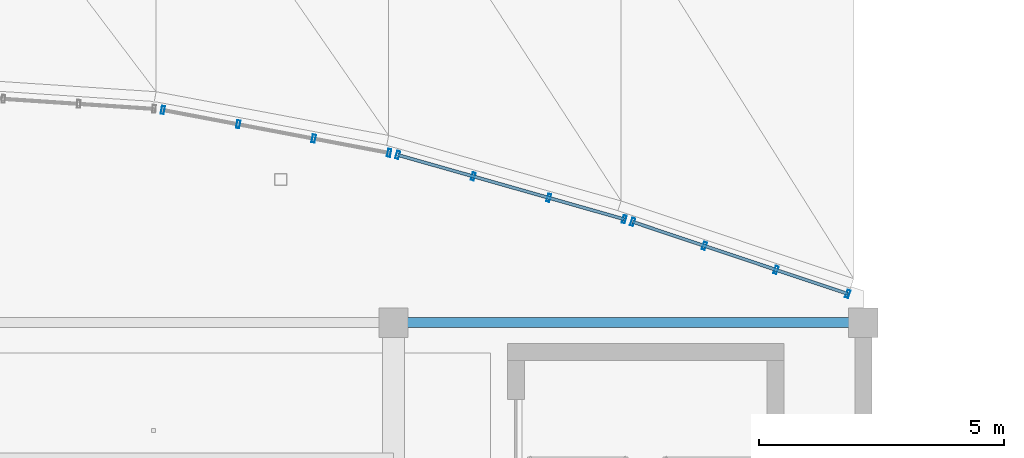
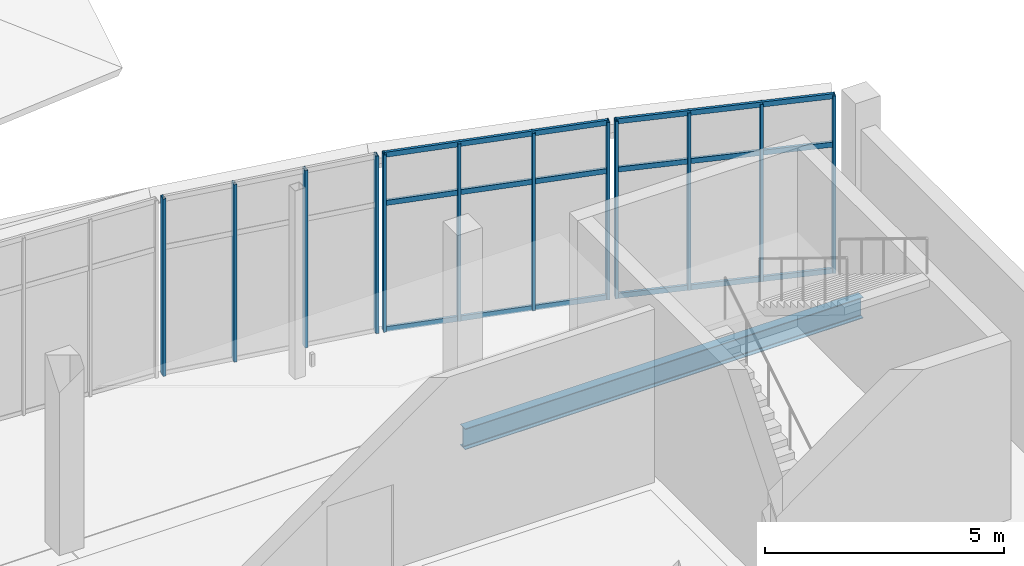
# One storey, part 35 of 116: 18 members, 1 beam, 3 elements without a shape of their own.
"""IFC4 building model written with IfcOpenShell, lengths in metres."""

import ifcopenshell
import ifcopenshell.guid

model = None  # the IFC model being written
_history = None  # IfcOwnerHistory: only IFC2X3 demands one
_inside = {}  # id of a spatial element -> (the spatial element, [elements in it])
_under = {}  # id of a project, library or spatial element -> (it, [spatial elements below it])
_declared = {}  # id of a project -> (the project, [libraries it declares])
_typed = {}  # id of a type object -> (the type object, [elements of that type])
_made_of = {}  # id of a material, layer set ... -> (it, [elements and type objects made of it])


def new_model(schema):
    """Start an empty IFC model of exactly this schema.

    Asked for "IFC4X3", IfcOpenShell would pick the latest addendum, in which some entities
    have other attributes; the version numbers below select the first issue.
    IFC2X3 requires an IfcOwnerHistory on every rooted entity: one is made here for all.
    """
    global model, _history
    if schema == "IFC4X3":
        model = ifcopenshell.file(schema_version=(4, 3, 0, 0))
    else:
        model = ifcopenshell.file(schema=schema)
    _inside.clear()
    _under.clear()
    _declared.clear()
    _typed.clear()
    _made_of.clear()
    _history = None
    if model.schema == "IFC2X3":
        org = make("IfcOrganization", Name="unknown")
        user = make(
            "IfcPersonAndOrganization",
            ThePerson=make("IfcPerson", FamilyName="unknown"),
            TheOrganization=org,
        )
        app = make(
            "IfcApplication",
            ApplicationDeveloper=org,
            Version="unknown",
            ApplicationFullName="unknown",
            ApplicationIdentifier="unknown",
        )
        _history = make(
            "IfcOwnerHistory",
            OwningUser=user,
            OwningApplication=app,
            ChangeAction="ADDED",
            CreationDate=0,
        )
    return model


def make(cls, **values):
    """One entity of the class cls with the attributes given. An attribute that is None is left unset."""
    return model.create_entity(
        cls, **{name: value for name, value in values.items() if value is not None}
    )


def rooted(cls, **values):
    """An entity with a GlobalId (a new one), such as an element, a storey or a relation."""
    return make(cls, GlobalId=ifcopenshell.guid.new(), OwnerHistory=_history, **values)


def si_unit(unit_type, name, prefix=None):
    """IfcSIUnit, for example si_unit("LENGTHUNIT", "METRE", prefix="MILLI")."""
    return make("IfcSIUnit", UnitType=unit_type, Prefix=prefix, Name=name)


def assignment(units):
    """IfcUnitAssignment: the units of a project."""
    return None if units is None else make("IfcUnitAssignment", Units=units)


def point(xyz):
    """IfcCartesianPoint."""
    return None if xyz is None else make("IfcCartesianPoint", Coordinates=xyz)


def direction(xyz):
    """IfcDirection."""
    return None if xyz is None else make("IfcDirection", DirectionRatios=xyz)


def frame(location, z_axis=None, x_axis=None):
    """IfcAxis2Placement3D, a coordinate frame: its origin and axes. An axis left out is left unset."""
    return make(
        "IfcAxis2Placement3D",
        Location=point(location),
        Axis=direction(z_axis),
        RefDirection=direction(x_axis),
    )


def frame_2d(location, x_axis=None):
    """IfcAxis2Placement2D, a coordinate frame in the plane: its origin and x axis."""
    return make(
        "IfcAxis2Placement2D", Location=point(location), RefDirection=direction(x_axis)
    )


def origin():
    """The frame at (0, 0, 0) with its axes left unset."""
    return frame((0.0, 0.0, 0.0))


def origin_2d():
    """The frame at (0, 0) in the plane with its x axis left unset."""
    return frame_2d((0.0, 0.0))


def place(relative_to, where):
    """IfcLocalPlacement: puts the frame where relative to a parent placement (None: the world)."""
    return make(
        "IfcLocalPlacement", PlacementRelTo=relative_to, RelativePlacement=where
    )


def context(
    kind, dimensions, precision=None, world=None, true_north=None, identifier=None
):
    """IfcGeometricRepresentationContext, for example the 3D "Model" context."""
    return make(
        "IfcGeometricRepresentationContext",
        ContextIdentifier=identifier,
        ContextType=kind,
        CoordinateSpaceDimension=dimensions,
        Precision=precision,
        WorldCoordinateSystem=world,
        TrueNorth=true_north,
    )


def subcontext(parent, identifier, kind, view, scale=None):
    """IfcGeometricRepresentationSubContext, for example "Body" below "Model"."""
    return make(
        "IfcGeometricRepresentationSubContext",
        ContextIdentifier=identifier,
        ContextType=kind,
        ParentContext=parent,
        TargetScale=scale,
        TargetView=view,
    )


def project(units=None, contexts=None):
    """IfcProject with its units and contexts."""
    return rooted(
        "IfcProject",
        Name="project",
        RepresentationContexts=contexts,
        UnitsInContext=assignment(units),
    )


def spatial(cls, under=None, at=None, **own):
    """A site, building, storey or space (cls), placed at a placement, below another one or the project."""
    s = rooted(cls, ObjectPlacement=at, **own)
    if under is not None:
        _under.setdefault(under.id(), (under, []))[1].append(s)
    return s


def profile(cls, at=None, kind="AREA", **sizes):
    """A parametric profile (cls). Its sizes go by their IFC names, for example OverallWidth=200.0."""
    return make(cls, ProfileType=kind, Position=at, **sizes)


def hollow_rectangle(**sizes):
    """IfcRectangleHollowProfileDef."""
    return profile("IfcRectangleHollowProfileDef", **sizes)


def i_section(**sizes):
    """IfcIShapeProfileDef."""
    return profile("IfcIShapeProfileDef", **sizes)


def extrude(swept, where, along, depth):
    """IfcExtrudedAreaSolid: the profile swept, set in the frame where, extruded along a direction by depth."""
    return make(
        "IfcExtrudedAreaSolid",
        SweptArea=swept,
        Position=where,
        ExtrudedDirection=direction(along),
        Depth=depth,
    )


def shape(context_of_items, identifier, shape_type, items):
    """IfcShapeRepresentation: the items that make up one representation, for example the "Body"."""
    return make(
        "IfcShapeRepresentation",
        ContextOfItems=context_of_items,
        RepresentationIdentifier=identifier,
        RepresentationType=shape_type,
        Items=items,
    )


def material(Name=None, Category=None):
    """IfcMaterial."""
    return make("IfcMaterial", Name=Name, Category=Category)


def layer(
    of_material, thickness, ventilated=None, Name=None, Category=None, Priority=None
):
    """IfcMaterialLayer: one layer of a wall or slab, of a material (None: an air gap)."""
    return make(
        "IfcMaterialLayer",
        Material=of_material,
        LayerThickness=thickness,
        IsVentilated=ventilated,
        Name=Name,
        Category=Category,
        Priority=Priority,
    )


def layer_set(layers, Name=None):
    """IfcMaterialLayerSet."""
    return make("IfcMaterialLayerSet", MaterialLayers=layers, LayerSetName=Name)


def material_profile(
    of_material, cross_section, Name=None, Category=None, Priority=None
):
    """IfcMaterialProfile: a cross section and its material."""
    return make(
        "IfcMaterialProfile",
        Name=Name,
        Material=of_material,
        Profile=cross_section,
        Priority=Priority,
        Category=Category,
    )


def profile_set(profiles, Name=None, composite=None):
    """IfcMaterialProfileSet."""
    return make(
        "IfcMaterialProfileSet",
        Name=Name,
        MaterialProfiles=profiles,
        CompositeProfile=composite,
    )


def made_of(thing, what):
    """Note that an element or type object is made of a material, layer set ...; save() writes the relation."""
    if what is not None:
        _made_of.setdefault(what.id(), (what, []))[1].append(thing)
    return thing


def type_object(cls, material=None, **own):
    """A type object (cls), such as IfcWallType, which elements share."""
    return made_of(rooted(cls, **own), material)


def element(
    cls,
    number,
    at=None,
    inside=None,
    cuts=None,
    type_object=None,
    material=None,
    context=None,
    identifier="Body",
    shape_type=None,
    held_by="IfcProductDefinitionShape",
    body=None,
    shapes=None,
    **own,
):
    """One element of the class cls, such as IfcWall. Its Tag is "e" and its number.

    at: its placement. inside: the storey or other place that contains it. cuts: it is an
    opening in that element (IfcRelVoidsElement). A single representation is given by context,
    identifier, shape_type and body (its items); several are given by shapes. held_by: the class
    of the entity that holds the representations. save() writes the other relations.
    """
    e = rooted(cls, Tag="e%d" % number, ObjectPlacement=at, **own)
    if body is not None:
        shapes = [shape(context, identifier, shape_type, body)]
    if shapes is not None:
        e.Representation = make(held_by, Representations=shapes)
    if inside is not None:
        _inside.setdefault(inside.id(), (inside, []))[1].append(e)
    if cuts is not None:
        rooted(
            "IfcRelVoidsElement", RelatingBuildingElement=cuts, RelatedOpeningElement=e
        )
    if type_object is not None:
        _typed.setdefault(type_object.id(), (type_object, []))[1].append(e)
    return made_of(e, material)


def aggregate(whole, parts):
    """IfcRelAggregates: a whole, such as a stair, and the parts it consists of."""
    return rooted("IfcRelAggregates", RelatingObject=whole, RelatedObjects=parts)


def save(model, path):
    """Write the relations noted so far, then the file.

    IfcRelAggregates (storeys below a building ...), IfcRelContainedInSpatialStructure (elements
    in a storey), IfcRelDefinesByType, IfcRelAssociatesMaterial and IfcRelDeclares: one each for
    every whole, place, type object, material and project.
    """
    for whole, parts in _under.values():
        aggregate(whole, parts)
    for where, things in _inside.values():
        rooted(
            "IfcRelContainedInSpatialStructure",
            RelatedElements=things,
            RelatingStructure=where,
        )
    for kind, things in _typed.values():
        rooted("IfcRelDefinesByType", RelatedObjects=things, RelatingType=kind)
    for what, things in _made_of.values():
        rooted("IfcRelAssociatesMaterial", RelatedObjects=things, RelatingMaterial=what)
    for by, libraries in _declared.values():
        rooted("IfcRelDeclares", RelatingContext=by, RelatedDefinitions=libraries)
    model.write(path)


model = new_model("IFC4")

# Units and contexts
model_context = context("Model", 3, precision=1e-05, world=origin(), true_north=direction((0.0, 1.0)))
body_context = subcontext(model_context, "Body", "Model", "MODEL_VIEW")
ifc_project = project(units=[si_unit("LENGTHUNIT", "METRE"), si_unit("AREAUNIT", "SQUARE_METRE"), si_unit("VOLUMEUNIT", "CUBIC_METRE"), si_unit("PLANEANGLEUNIT", "RADIAN"), si_unit("MASSUNIT", "GRAM", prefix="KILO")], contexts=[model_context])

# Site, building, storey
site_placement = place(None, origin())
site = spatial("IfcSite", under=ifc_project, at=site_placement, CompositionType="ELEMENT")
building_placement = place(site_placement, origin())
building = spatial("IfcBuilding", under=site, at=building_placement, Name="Chalmorin Arch Market", CompositionType="ELEMENT")
storey_placement = place(building_placement, origin())
storey = spatial("IfcBuildingStorey", under=building, at=storey_placement, Name="L00", CompositionType="ELEMENT", Elevation=0.0)

# Curtain wall, members
ifc_material_1 = material(Name="Aluminium 6063-T6", Category="aluminium")
ifc_layer_1 = layer(ifc_material_1, 0.159912109375)
ifc_layer_set_1 = layer_set([ifc_layer_1], Name="Aluminium 6063-T6")
curtain_wall_type_1 = type_object("IfcCurtainWallType", Name="RiverfrontStorefrontCurtainWall-CW2-4710x4520", PredefinedType="NOTDEFINED", material=ifc_layer_set_1)
curtain_wall_1_placement = place(storey_placement, origin())
curtain_wall_1 = element("IfcCurtainWall", 1, at=curtain_wall_1_placement, inside=storey, type_object=curtain_wall_type_1, Name="CW-02-084", PredefinedType="NOTDEFINED")
ifc_material_profile_1 = material_profile(ifc_material_1, hollow_rectangle(XDim=0.06494140625, YDim=0.159912109375, WallThickness=0.00390625, at=origin_2d()), Name="ALU65X160X4")
ifc_profile_set_1 = profile_set([ifc_material_profile_1], Name="Aluminium 6063-T6")
member_type_1 = type_object("IfcMemberType", Name="CurtainWallMullion-65x160", PredefinedType="MULLION", material=ifc_profile_set_1)
member_1_placement = place(storey_placement, frame((24.08837890625, 54.34326171875, 0.0), z_axis=(0.0, 0.0, 1.0), x_axis=(0.981627183448, -0.190808995377, 0.0)))
member_1 = element("IfcMember", 2, at=member_1_placement, type_object=member_type_1, Name="ML-084-01", PredefinedType="MULLION", context=body_context, shape_type="SweptSolid", body=[
    extrude(hollow_rectangle(XDim=0.06494140625, YDim=0.159912109375, WallThickness=0.00390625, at=origin_2d()), origin(), (0.0, 0.0, 1.0), 4.52001953125),
])
member_2_placement = place(storey_placement, frame((25.62939453125, 54.051025390625, 0.0), z_axis=(0.0, 0.0, 1.0), x_axis=(0.981627183448, -0.190808995377, 0.0)))
member_2 = element("IfcMember", 3, at=member_2_placement, type_object=member_type_1, Name="ML-084-02", PredefinedType="MULLION", context=body_context, shape_type="SweptSolid", body=[
    extrude(hollow_rectangle(XDim=0.06494140625, YDim=0.159912109375, WallThickness=0.00390625, at=origin_2d()), origin(), (0.0, 0.0, 1.0), 4.52001953125),
])
member_3_placement = place(storey_placement, frame((27.17041015625, 53.7587890625, 0.0), z_axis=(0.0, 0.0, 1.0), x_axis=(0.981627183448, -0.190808995377, 0.0)))
member_3 = element("IfcMember", 4, at=member_3_placement, type_object=member_type_1, Name="ML-084-03", PredefinedType="MULLION", context=body_context, shape_type="SweptSolid", body=[
    extrude(hollow_rectangle(XDim=0.06494140625, YDim=0.159912109375, WallThickness=0.00390625, at=origin_2d()), origin(), (0.0, 0.0, 1.0), 4.52001953125),
])
member_4_placement = place(storey_placement, frame((28.711669921875, 53.466796875, 0.0), z_axis=(0.0, 0.0, 1.0), x_axis=(0.981627183448, -0.190808995377, 0.0)))
member_4 = element("IfcMember", 5, at=member_4_placement, type_object=member_type_1, Name="ML-084-04", PredefinedType="MULLION", context=body_context, shape_type="SweptSolid", body=[
    extrude(hollow_rectangle(XDim=0.06494140625, YDim=0.159912109375, WallThickness=0.00390625, at=origin_2d()), origin(), (0.0, 0.0, 1.0), 4.52001953125),
])
aggregate(curtain_wall_1, [member_1, member_2, member_3, member_4])

ifc_layer_2 = layer(ifc_material_1, 0.159912109375)
ifc_layer_set_2 = layer_set([ifc_layer_2], Name="Aluminium 6063-T6")
curtain_wall_type_2 = type_object("IfcCurtainWallType", Name="RiverfrontStorefrontCurtainWall-CW2-4810x4520", PredefinedType="NOTDEFINED", material=ifc_layer_set_2)
curtain_wall_2_placement = place(storey_placement, origin())
curtain_wall_2 = element("IfcCurtainWall", 6, at=curtain_wall_2_placement, inside=storey, type_object=curtain_wall_type_2, Name="CW-02-087", PredefinedType="NOTDEFINED")
member_5_placement = place(storey_placement, frame((28.88671875, 53.42529296875, 0.0), z_axis=(0.0, 0.0, 1.0), x_axis=(0.961261695938, -0.275637355817, 0.0)))
member_5 = element("IfcMember", 7, at=member_5_placement, type_object=member_type_1, Name="ML-087-01", PredefinedType="MULLION", context=body_context, shape_type="SweptSolid", body=[
    extrude(hollow_rectangle(XDim=0.06494140625, YDim=0.159912109375, WallThickness=0.00390625, at=origin_2d()), origin(), (0.0, 0.0, 1.0), 4.52001953125),
])
member_6_placement = place(storey_placement, frame((30.428955078125, 52.987548828125, 0.0), z_axis=(0.0, 0.0, 1.0), x_axis=(0.961261695938, -0.275637355817, 0.0)))
member_6 = element("IfcMember", 8, at=member_6_placement, type_object=member_type_1, Name="ML-087-02", PredefinedType="MULLION", context=body_context, shape_type="SweptSolid", body=[
    extrude(hollow_rectangle(XDim=0.06494140625, YDim=0.159912109375, WallThickness=0.00390625, at=origin_2d()), origin(), (0.0, 0.0, 1.0), 4.52001953125),
])
member_7_placement = place(storey_placement, frame((31.97119140625, 52.549560546875, 0.0), z_axis=(0.0, 0.0, 1.0), x_axis=(0.961261695938, -0.275637355817, 0.0)))
member_7 = element("IfcMember", 9, at=member_7_placement, type_object=member_type_1, Name="ML-087-03", PredefinedType="MULLION", context=body_context, shape_type="SweptSolid", body=[
    extrude(hollow_rectangle(XDim=0.06494140625, YDim=0.159912109375, WallThickness=0.00390625, at=origin_2d()), origin(), (0.0, 0.0, 1.0), 4.52001953125),
])
member_8_placement = place(storey_placement, frame((33.513427734375, 52.111572265625, 0.0), z_axis=(0.0, 0.0, 1.0), x_axis=(0.961261695938, -0.275637355817, 0.0)))
member_8 = element("IfcMember", 10, at=member_8_placement, type_object=member_type_1, Name="ML-087-04", PredefinedType="MULLION", context=body_context, shape_type="SweptSolid", body=[
    extrude(hollow_rectangle(XDim=0.06494140625, YDim=0.159912109375, WallThickness=0.00390625, at=origin_2d()), origin(), (0.0, 0.0, 1.0), 4.52001953125),
])

ifc_layer_3 = layer(ifc_material_1, 0.159912109375)
ifc_layer_set_3 = layer_set([ifc_layer_3], Name="Aluminium 6063-T6")
curtain_wall_type_3 = type_object("IfcCurtainWallType", Name="RiverfrontStorefrontCurtainWall-CW2-4630x4520", PredefinedType="NOTDEFINED", material=ifc_layer_set_3)
curtain_wall_3_placement = place(storey_placement, origin())
curtain_wall_3 = element("IfcCurtainWall", 11, at=curtain_wall_3_placement, inside=storey, type_object=curtain_wall_type_3, Name="CW-02-090", PredefinedType="NOTDEFINED")
member_9_placement = place(storey_placement, frame((33.685302734375, 52.058349609375, 0.0), z_axis=(0.0, 0.0, 1.0), x_axis=(0.945518575599, -0.325568154457, 0.0)))
member_9 = element("IfcMember", 12, at=member_9_placement, type_object=member_type_1, Name="ML-090-01", PredefinedType="MULLION", context=body_context, shape_type="SweptSolid", body=[
    extrude(hollow_rectangle(XDim=0.06494140625, YDim=0.159912109375, WallThickness=0.00390625, at=origin_2d()), origin(), (0.0, 0.0, 1.0), 4.52001953125),
])
member_10_placement = place(storey_placement, frame((35.150146484375, 51.568115234375, 0.0), z_axis=(0.0, 0.0, 1.0), x_axis=(0.945518575599, -0.325568154457, 0.0)))
member_10 = element("IfcMember", 13, at=member_10_placement, type_object=member_type_1, Name="ML-090-02", PredefinedType="MULLION", context=body_context, shape_type="SweptSolid", body=[
    extrude(hollow_rectangle(XDim=0.06494140625, YDim=0.159912109375, WallThickness=0.00390625, at=origin_2d()), origin(), (0.0, 0.0, 1.0), 4.52001953125),
])
member_11_placement = place(storey_placement, frame((36.615234375, 51.077392578125, 0.0), z_axis=(0.0, 0.0, 1.0), x_axis=(0.945518575599, -0.325568154457, 0.0)))
member_11 = element("IfcMember", 14, at=member_11_placement, type_object=member_type_1, Name="ML-090-03", PredefinedType="MULLION", context=body_context, shape_type="SweptSolid", body=[
    extrude(hollow_rectangle(XDim=0.06494140625, YDim=0.159912109375, WallThickness=0.00390625, at=origin_2d()), origin(), (0.0, 0.0, 1.0), 4.52001953125),
])
member_12_placement = place(storey_placement, frame((38.080078125, 50.587158203125, 0.0), z_axis=(0.0, 0.0, 1.0), x_axis=(0.945518575599, -0.325568154457, 0.0)))
member_12 = element("IfcMember", 15, at=member_12_placement, type_object=member_type_1, Name="ML-090-04", PredefinedType="MULLION", context=body_context, shape_type="SweptSolid", body=[
    extrude(hollow_rectangle(XDim=0.06494140625, YDim=0.159912109375, WallThickness=0.00390625, at=origin_2d()), origin(), (0.0, 0.0, 1.0), 4.52001953125),
])

# Member
ifc_material_profile_2 = material_profile(ifc_material_1, hollow_rectangle(XDim=0.06494140625, YDim=0.1298828125, WallThickness=0.00390625, at=origin_2d()), Name="ALU65X130X4")
ifc_profile_set_2 = profile_set([ifc_material_profile_2], Name="Aluminium 6063-T6")
member_type_2 = type_object("IfcMemberType", Name="CurtainWallTransom-65x130", PredefinedType="USERDEFINED", material=ifc_profile_set_2)
member_13_placement = place(storey_placement, frame((28.88671875, 53.42529296875, 0.034912109375), z_axis=(0.96197280209, -0.273145250807, 0.0), x_axis=(0.273145250807, 0.96197280209, 0.0)))
member_13 = element("IfcMember", 16, at=member_13_placement, type_object=member_type_2, Name="TR-087-01", ObjectType="TRANSOM", PredefinedType="USERDEFINED", context=body_context, shape_type="SweptSolid", body=[
    extrude(hollow_rectangle(XDim=0.06494140625, YDim=0.1298828125, WallThickness=0.00390625, at=origin_2d()), origin(), (0.0, 0.0, 1.0), 4.8095703125),
])

member_14_placement = place(storey_placement, frame((28.88671875, 53.42529296875, 3.25439453125), z_axis=(0.96197280209, -0.273145250807, 0.0), x_axis=(0.273145250807, 0.96197280209, 0.0)))
member_14 = element("IfcMember", 17, at=member_14_placement, type_object=member_type_2, Name="TR-087-02", ObjectType="TRANSOM", PredefinedType="USERDEFINED", context=body_context, shape_type="SweptSolid", body=[
    extrude(hollow_rectangle(XDim=0.06494140625, YDim=0.1298828125, WallThickness=0.00390625, at=origin_2d()), origin(), (0.0, 0.0, 1.0), 4.8095703125),
])

member_15_placement = place(storey_placement, frame((28.88671875, 53.42529296875, 4.485107421875), z_axis=(0.96197280209, -0.273145250807, 0.0), x_axis=(0.273145250807, 0.96197280209, 0.0)))
member_15 = element("IfcMember", 18, at=member_15_placement, type_object=member_type_2, Name="TR-087-03", ObjectType="TRANSOM", PredefinedType="USERDEFINED", context=body_context, shape_type="SweptSolid", body=[
    extrude(hollow_rectangle(XDim=0.06494140625, YDim=0.1298828125, WallThickness=0.00390625, at=origin_2d()), origin(), (0.0, 0.0, 1.0), 4.8095703125),
])

aggregate(curtain_wall_2, [member_5, member_6, member_7, member_8, member_13, member_14, member_15])

member_16_placement = place(storey_placement, frame((33.685302734375, 52.058349609375, 0.034912109375), z_axis=(0.948276888347, -0.317444393599, 0.0), x_axis=(0.317444393599, 0.948276888347, 0.0)))
member_16 = element("IfcMember", 19, at=member_16_placement, type_object=member_type_2, Name="TR-090-01", ObjectType="TRANSOM", PredefinedType="USERDEFINED", context=body_context, shape_type="SweptSolid", body=[
    extrude(hollow_rectangle(XDim=0.06494140625, YDim=0.1298828125, WallThickness=0.00390625, at=origin_2d()), origin(), (0.0, 0.0, 1.0), 4.634521484375),
])

member_17_placement = place(storey_placement, frame((33.685302734375, 52.058349609375, 3.25439453125), z_axis=(0.948276888347, -0.317444393599, 0.0), x_axis=(0.317444393599, 0.948276888347, 0.0)))
member_17 = element("IfcMember", 20, at=member_17_placement, type_object=member_type_2, Name="TR-090-02", ObjectType="TRANSOM", PredefinedType="USERDEFINED", context=body_context, shape_type="SweptSolid", body=[
    extrude(hollow_rectangle(XDim=0.06494140625, YDim=0.1298828125, WallThickness=0.00390625, at=origin_2d()), origin(), (0.0, 0.0, 1.0), 4.634521484375),
])

member_18_placement = place(storey_placement, frame((33.685302734375, 52.058349609375, 4.485107421875), z_axis=(0.948276888347, -0.317444393599, 0.0), x_axis=(0.317444393599, 0.948276888347, 0.0)))
member_18 = element("IfcMember", 21, at=member_18_placement, type_object=member_type_2, Name="TR-090-03", ObjectType="TRANSOM", PredefinedType="USERDEFINED", context=body_context, shape_type="SweptSolid", body=[
    extrude(hollow_rectangle(XDim=0.06494140625, YDim=0.1298828125, WallThickness=0.00390625, at=origin_2d()), origin(), (0.0, 0.0, 1.0), 4.634521484375),
])

aggregate(curtain_wall_3, [member_9, member_10, member_11, member_12, member_16, member_17, member_18])

# Beam
ifc_material_2 = material(Name="Steel A992 Grade 50", Category="steel")
ifc_material_profile_3 = material_profile(ifc_material_2, i_section(OverallWidth=0.208984375, OverallDepth=0.532958984375, WebThickness=0.01025390625, FlangeThickness=0.015625, FilletRadius=0.02197265625, at=origin_2d()), Name="W21X62")
ifc_profile_set_3 = profile_set([ifc_material_profile_3], Name="Steel A992 Grade 50")
beam_type = type_object("IfcBeamType", Name="PerimeterSpandrelBeam-W21X62", PredefinedType="SPANDREL", material=ifc_profile_set_3)
beam_placement = place(storey_placement, frame((28.800048828125, 50.0, -0.618408203125), z_axis=(1.0, 0.0, 0.0), x_axis=(0.0, 1.0, 0.0)))
element("IfcBeam", 22, at=beam_placement, inside=storey, type_object=beam_type, Name="SP-W21-0248", PredefinedType="SPANDREL", context=body_context, shape_type="SweptSolid", body=[
    extrude(i_section(OverallWidth=0.208984375, OverallDepth=0.532958984375, WebThickness=0.01025390625, FlangeThickness=0.015625, FilletRadius=0.02197265625, at=origin_2d()), origin(), (0.0, 0.0, 1.0), 9.599853515625),
])

save(model, "model.ifc")
